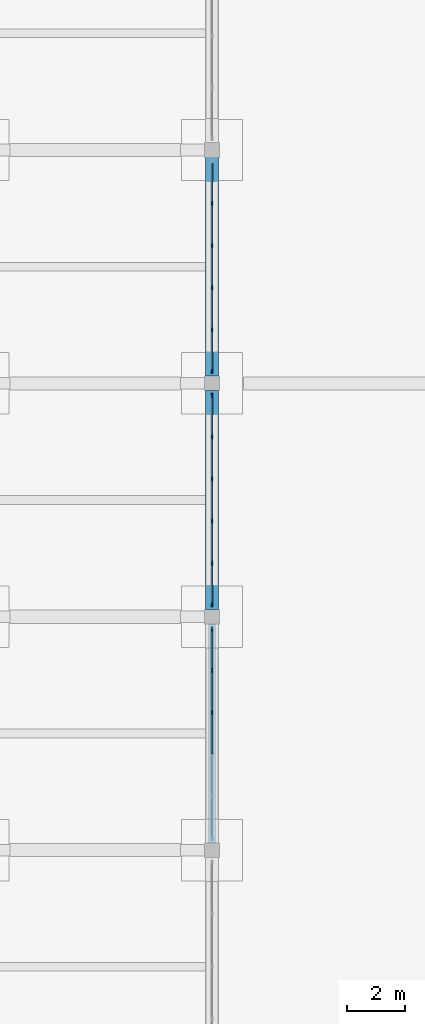
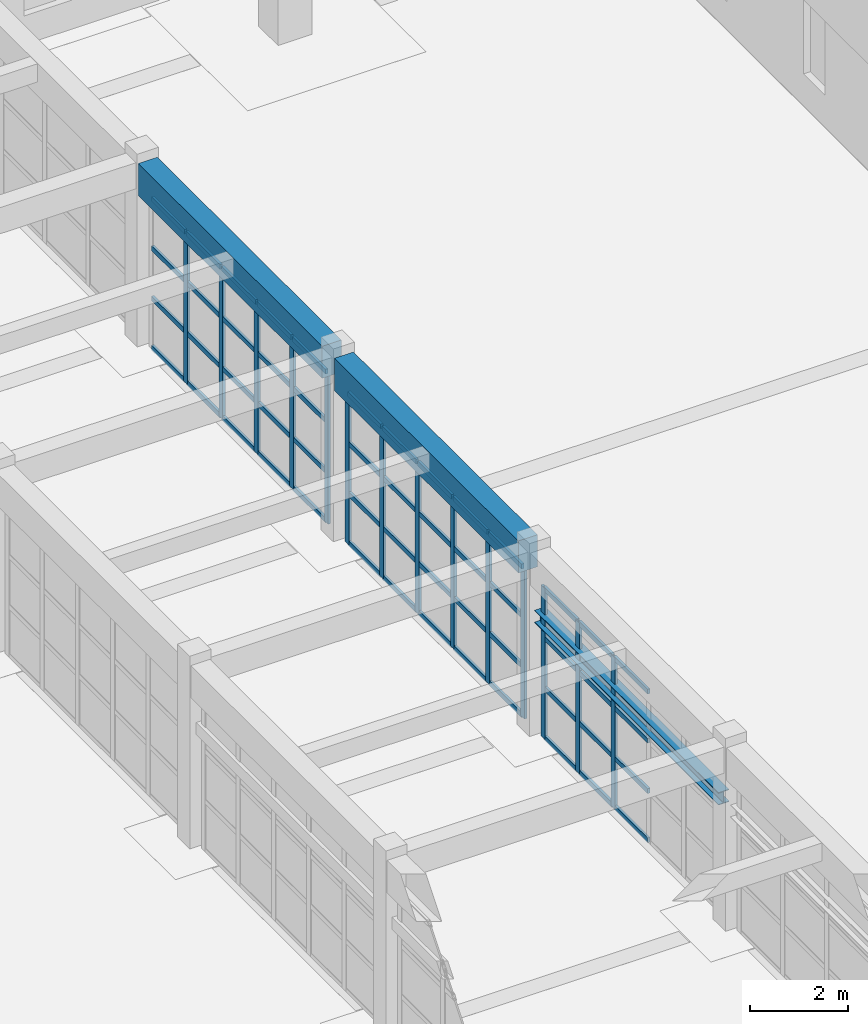
# One storey, part 31 of 68: 66 members, 3 beams, 3 elements without a shape of their own.
"""IFC4 building model written with IfcOpenShell, lengths in metres."""

from ifc_helpers import new_model, si_unit, direction, frame, origin, origin_2d, place, context, subcontext, project, spatial, rectangle, i_section, extrude, material, material_profile, profile_set, type_object, element, aggregate, save


model = new_model("IFC4")

# Units and contexts
model_context = context("Model", 3, precision=1e-05, world=origin(), true_north=direction((0.0, 1.0)))
body_context = subcontext(model_context, "Body", "Model", "MODEL_VIEW")
ifc_project = project(units=[si_unit("LENGTHUNIT", "METRE"), si_unit("AREAUNIT", "SQUARE_METRE"), si_unit("VOLUMEUNIT", "CUBIC_METRE"), si_unit("PLANEANGLEUNIT", "RADIAN"), si_unit("MASSUNIT", "GRAM", prefix="KILO")], contexts=[model_context])

# Site, building, storey
site_placement = place(None, origin())
site = spatial("IfcSite", under=ifc_project, at=site_placement, CompositionType="ELEMENT")
building_placement = place(site_placement, origin())
building = spatial("IfcBuilding", under=site, at=building_placement, Name="Serraluz Foothill Cableway Terminal", CompositionType="ELEMENT")
storey_placement = place(building_placement, origin())
storey = spatial("IfcBuildingStorey", under=building, at=storey_placement, Name="L00", CompositionType="ELEMENT", Elevation=0.0)

# Beams
ifc_material_1 = material(Name="Concrete C35/45 (f'c 35 MPa)", Category="concrete")
ifc_material_profile_1 = material_profile(ifc_material_1, rectangle(XDim=0.449951171875, YDim=0.800048828125, at=origin_2d()), Name="RC 450x800")
ifc_profile_set_1 = profile_set([ifc_material_profile_1], Name="Concrete C35/45 (f'c 35 MPa)")
beam_type_1 = type_object("IfcBeamType", Name="TYP-BM-RC450X800", PredefinedType="BEAM", material=ifc_profile_set_1)
for number, where, z_axis, x_axis, name in (
    (1, (128.0, 32.24609375, 4.159912109375), (0.0, 1.0, 0.0), (-1.0, 0.0, 0.0), "Transverse Girder BM-Y-L00-0166"),
    (2, (128.0, 40.24609375, 4.159912109375), (0.0, 1.0, 0.0), (-1.0, 0.0, 0.0), "Transverse Girder BM-Y-L00-0167"),
):
    element("IfcBeam", number, at=place(storey_placement, frame(where, z_axis=z_axis, x_axis=x_axis)), inside=storey, type_object=beam_type_1, Name=name, PredefinedType="BEAM", context=body_context, shape_type="SweptSolid", body=[
        extrude(rectangle(XDim=0.449951171875, YDim=0.800048828125, at=origin_2d()), origin(), (0.0, 0.0, 1.0), 7.5078125),
    ])

# Curtain wall, members
ifc_material_2 = material(Name="Architectural bronze alloy C28000", Category="aluminium")
curtain_wall_type = type_object("IfcCurtainWallType", Name="TYP-CW-710X420", PredefinedType="NOTDEFINED", material=ifc_material_2)
curtain_wall_1_placement = place(storey_placement, origin())
curtain_wall_1 = element("IfcCurtainWall", 3, at=curtain_wall_1_placement, inside=storey, type_object=curtain_wall_type, Name="Ribbed Glazed Curtain Wall CW-CLE-L00-24", PredefinedType="NOTDEFINED")
ifc_material_profile_2 = material_profile(ifc_material_2, rectangle(XDim=0.06005859375, YDim=0.159912109375, at=origin_2d()), Name="ALU MULLION 60x160")
ifc_profile_set_2 = profile_set([ifc_material_profile_2], Name="Architectural bronze alloy C28000")
member_type_1 = type_object("IfcMemberType", Name="TYP-CW-MUL-60X160", PredefinedType="MULLION", material=ifc_profile_set_2)
member_1_placement = place(storey_placement, frame((128.0, 31.580078125, 0.0), z_axis=(0.0, 0.0, 1.0), x_axis=(1.0, 0.0, 0.0)))
member_1 = element("IfcMember", 4, at=member_1_placement, type_object=member_type_1, Name="CW-01 mullion 1", PredefinedType="MULLION", context=body_context, shape_type="SweptSolid", body=[
    extrude(rectangle(XDim=0.06005859375, YDim=0.159912109375, at=origin_2d()), origin(), (0.0, 0.0, 1.0), 3.760009765625),
])
member_2_placement = place(storey_placement, frame((128.0, 30.166015625, 0.0), z_axis=(0.0, 0.0, 1.0), x_axis=(1.0, 0.0, 0.0)))
member_2 = element("IfcMember", 5, at=member_2_placement, type_object=member_type_1, Name="CW-01 mullion 2", PredefinedType="MULLION", context=body_context, shape_type="SweptSolid", body=[
    extrude(rectangle(XDim=0.06005859375, YDim=0.159912109375, at=origin_2d()), origin(), (0.0, 0.0, 1.0), 3.760009765625),
])
member_3_placement = place(storey_placement, frame((128.0, 28.721923828125, 0.0), z_axis=(0.0, 0.0, 1.0), x_axis=(1.0, 0.0, 0.0)))
member_3 = element("IfcMember", 6, at=member_3_placement, type_object=member_type_1, Name="CW-01 mullion 3", PredefinedType="MULLION", context=body_context, shape_type="SweptSolid", body=[
    extrude(rectangle(XDim=0.06005859375, YDim=0.159912109375, at=origin_2d()), origin(), (0.0, 0.0, 1.0), 3.760009765625),
])

curtain_wall_2_placement = place(storey_placement, origin())
curtain_wall_2 = element("IfcCurtainWall", 7, at=curtain_wall_2_placement, inside=storey, type_object=curtain_wall_type, Name="Ribbed Glazed Curtain Wall CW-CLE-L00-32", PredefinedType="NOTDEFINED")
member_4_placement = place(storey_placement, frame((128.0, 39.580078125, 0.0), z_axis=(0.0, 0.0, 1.0), x_axis=(1.0, 0.0, 0.0)))
member_4 = element("IfcMember", 8, at=member_4_placement, type_object=member_type_1, Name="CW-01 mullion 1", PredefinedType="MULLION", context=body_context, shape_type="SweptSolid", body=[
    extrude(rectangle(XDim=0.06005859375, YDim=0.159912109375, at=origin_2d()), origin(), (0.0, 0.0, 1.0), 3.760009765625),
])
member_5_placement = place(storey_placement, frame((128.0, 38.166015625, 0.0), z_axis=(0.0, 0.0, 1.0), x_axis=(1.0, 0.0, 0.0)))
member_5 = element("IfcMember", 9, at=member_5_placement, type_object=member_type_1, Name="CW-01 mullion 2", PredefinedType="MULLION", context=body_context, shape_type="SweptSolid", body=[
    extrude(rectangle(XDim=0.06005859375, YDim=0.159912109375, at=origin_2d()), origin(), (0.0, 0.0, 1.0), 3.760009765625),
])
member_6_placement = place(storey_placement, frame((128.0, 36.721923828125, 0.0), z_axis=(0.0, 0.0, 1.0), x_axis=(1.0, 0.0, 0.0)))
member_6 = element("IfcMember", 10, at=member_6_placement, type_object=member_type_1, Name="CW-01 mullion 3", PredefinedType="MULLION", context=body_context, shape_type="SweptSolid", body=[
    extrude(rectangle(XDim=0.06005859375, YDim=0.159912109375, at=origin_2d()), origin(), (0.0, 0.0, 1.0), 3.760009765625),
])
member_7_placement = place(storey_placement, frame((128.0, 35.278076171875, 0.0), z_axis=(0.0, 0.0, 1.0), x_axis=(1.0, 0.0, 0.0)))
member_7 = element("IfcMember", 11, at=member_7_placement, type_object=member_type_1, Name="CW-01 mullion 4", PredefinedType="MULLION", context=body_context, shape_type="SweptSolid", body=[
    extrude(rectangle(XDim=0.06005859375, YDim=0.159912109375, at=origin_2d()), origin(), (0.0, 0.0, 1.0), 3.760009765625),
])
member_8_placement = place(storey_placement, frame((128.0, 33.833984375, 0.0), z_axis=(0.0, 0.0, 1.0), x_axis=(1.0, 0.0, 0.0)))
member_8 = element("IfcMember", 12, at=member_8_placement, type_object=member_type_1, Name="CW-01 mullion 5", PredefinedType="MULLION", context=body_context, shape_type="SweptSolid", body=[
    extrude(rectangle(XDim=0.06005859375, YDim=0.159912109375, at=origin_2d()), origin(), (0.0, 0.0, 1.0), 3.760009765625),
])
member_9_placement = place(storey_placement, frame((128.0, 32.419921875, 0.0), z_axis=(0.0, 0.0, 1.0), x_axis=(1.0, 0.0, 0.0)))
member_9 = element("IfcMember", 13, at=member_9_placement, type_object=member_type_1, Name="CW-01 mullion 6", PredefinedType="MULLION", context=body_context, shape_type="SweptSolid", body=[
    extrude(rectangle(XDim=0.06005859375, YDim=0.159912109375, at=origin_2d()), origin(), (0.0, 0.0, 1.0), 3.760009765625),
])

curtain_wall_3_placement = place(storey_placement, origin())
curtain_wall_3 = element("IfcCurtainWall", 14, at=curtain_wall_3_placement, inside=storey, type_object=curtain_wall_type, Name="Ribbed Glazed Curtain Wall CW-CLE-L00-40", PredefinedType="NOTDEFINED")
member_10_placement = place(storey_placement, frame((128.0, 46.166015625, 0.0), z_axis=(0.0, 0.0, 1.0), x_axis=(1.0, 0.0, 0.0)))
member_10 = element("IfcMember", 15, at=member_10_placement, type_object=member_type_1, Name="CW-01 mullion 2", PredefinedType="MULLION", context=body_context, shape_type="SweptSolid", body=[
    extrude(rectangle(XDim=0.06005859375, YDim=0.159912109375, at=origin_2d()), origin(), (0.0, 0.0, 1.0), 3.760009765625),
])
member_11_placement = place(storey_placement, frame((128.0, 44.721923828125, 0.0), z_axis=(0.0, 0.0, 1.0), x_axis=(1.0, 0.0, 0.0)))
member_11 = element("IfcMember", 16, at=member_11_placement, type_object=member_type_1, Name="CW-01 mullion 3", PredefinedType="MULLION", context=body_context, shape_type="SweptSolid", body=[
    extrude(rectangle(XDim=0.06005859375, YDim=0.159912109375, at=origin_2d()), origin(), (0.0, 0.0, 1.0), 3.760009765625),
])
member_12_placement = place(storey_placement, frame((128.0, 43.278076171875, 0.0), z_axis=(0.0, 0.0, 1.0), x_axis=(1.0, 0.0, 0.0)))
member_12 = element("IfcMember", 17, at=member_12_placement, type_object=member_type_1, Name="CW-01 mullion 4", PredefinedType="MULLION", context=body_context, shape_type="SweptSolid", body=[
    extrude(rectangle(XDim=0.06005859375, YDim=0.159912109375, at=origin_2d()), origin(), (0.0, 0.0, 1.0), 3.760009765625),
])
member_13_placement = place(storey_placement, frame((128.0, 41.833984375, 0.0), z_axis=(0.0, 0.0, 1.0), x_axis=(1.0, 0.0, 0.0)))
member_13 = element("IfcMember", 18, at=member_13_placement, type_object=member_type_1, Name="CW-01 mullion 5", PredefinedType="MULLION", context=body_context, shape_type="SweptSolid", body=[
    extrude(rectangle(XDim=0.06005859375, YDim=0.159912109375, at=origin_2d()), origin(), (0.0, 0.0, 1.0), 3.760009765625),
])
member_14_placement = place(storey_placement, frame((128.0, 40.419921875, 0.0), z_axis=(0.0, 0.0, 1.0), x_axis=(1.0, 0.0, 0.0)))
member_14 = element("IfcMember", 19, at=member_14_placement, type_object=member_type_1, Name="CW-01 mullion 6", PredefinedType="MULLION", context=body_context, shape_type="SweptSolid", body=[
    extrude(rectangle(XDim=0.06005859375, YDim=0.159912109375, at=origin_2d()), origin(), (0.0, 0.0, 1.0), 3.760009765625),
])

# Member
ifc_material_profile_3 = material_profile(ifc_material_2, rectangle(XDim=0.06005859375, YDim=0.1201171875, at=origin_2d()), Name="ALU TRANSOM 60x120")
ifc_profile_set_3 = profile_set([ifc_material_profile_3], Name="Architectural bronze alloy C28000")
member_type_2 = type_object("IfcMemberType", Name="TYP-CW-TRN-60X120", PredefinedType="USERDEFINED", material=ifc_profile_set_3)
member_15_placement = place(storey_placement, frame((128.0, 31.550048828125, 0.030029296875), z_axis=(0.0, -1.0, 0.0), x_axis=(1.0, 0.0, 0.0)))
member_15 = element("IfcMember", 20, at=member_15_placement, type_object=member_type_2, Name="CW-01 transom 1.1", ObjectType="TRANSOM", PredefinedType="USERDEFINED", context=body_context, shape_type="SweptSolid", body=[
    extrude(rectangle(XDim=0.06005859375, YDim=0.1201171875, at=origin_2d()), origin(), (0.0, 0.0, 1.0), 1.35400390625),
])

member_16_placement = place(storey_placement, frame((128.0, 31.550048828125, 1.25341796875), z_axis=(0.0, -1.0, 0.0), x_axis=(1.0, 0.0, 0.0)))
member_16 = element("IfcMember", 21, at=member_16_placement, type_object=member_type_2, Name="CW-01 transom 1.2", ObjectType="TRANSOM", PredefinedType="USERDEFINED", context=body_context, shape_type="SweptSolid", body=[
    extrude(rectangle(XDim=0.06005859375, YDim=0.1201171875, at=origin_2d()), origin(), (0.0, 0.0, 1.0), 1.35400390625),
])

member_17_placement = place(storey_placement, frame((128.0, 31.550048828125, 2.506591796875), z_axis=(0.0, -1.0, 0.0), x_axis=(1.0, 0.0, 0.0)))
member_17 = element("IfcMember", 22, at=member_17_placement, type_object=member_type_2, Name="CW-01 transom 1.3", ObjectType="TRANSOM", PredefinedType="USERDEFINED", context=body_context, shape_type="SweptSolid", body=[
    extrude(rectangle(XDim=0.06005859375, YDim=0.1201171875, at=origin_2d()), origin(), (0.0, 0.0, 1.0), 1.35400390625),
])

member_18_placement = place(storey_placement, frame((128.0, 31.550048828125, 3.72998046875), z_axis=(0.0, -1.0, 0.0), x_axis=(1.0, 0.0, 0.0)))
member_18 = element("IfcMember", 23, at=member_18_placement, type_object=member_type_2, Name="CW-01 transom 1.4", ObjectType="TRANSOM", PredefinedType="USERDEFINED", context=body_context, shape_type="SweptSolid", body=[
    extrude(rectangle(XDim=0.06005859375, YDim=0.1201171875, at=origin_2d()), origin(), (0.0, 0.0, 1.0), 1.35400390625),
])

member_19_placement = place(storey_placement, frame((128.0, 30.135986328125, 0.030029296875), z_axis=(0.0, -1.0, 0.0), x_axis=(1.0, 0.0, 0.0)))
member_19 = element("IfcMember", 24, at=member_19_placement, type_object=member_type_2, Name="CW-01 transom 2.1", ObjectType="TRANSOM", PredefinedType="USERDEFINED", context=body_context, shape_type="SweptSolid", body=[
    extrude(rectangle(XDim=0.06005859375, YDim=0.1201171875, at=origin_2d()), origin(), (0.0, 0.0, 1.0), 1.384033203125),
])

member_20_placement = place(storey_placement, frame((128.0, 30.135986328125, 1.25341796875), z_axis=(0.0, -1.0, 0.0), x_axis=(1.0, 0.0, 0.0)))
member_20 = element("IfcMember", 25, at=member_20_placement, type_object=member_type_2, Name="CW-01 transom 2.2", ObjectType="TRANSOM", PredefinedType="USERDEFINED", context=body_context, shape_type="SweptSolid", body=[
    extrude(rectangle(XDim=0.06005859375, YDim=0.1201171875, at=origin_2d()), origin(), (0.0, 0.0, 1.0), 1.384033203125),
])

member_21_placement = place(storey_placement, frame((128.0, 30.135986328125, 2.506591796875), z_axis=(0.0, -1.0, 0.0), x_axis=(1.0, 0.0, 0.0)))
member_21 = element("IfcMember", 26, at=member_21_placement, type_object=member_type_2, Name="CW-01 transom 2.3", ObjectType="TRANSOM", PredefinedType="USERDEFINED", context=body_context, shape_type="SweptSolid", body=[
    extrude(rectangle(XDim=0.06005859375, YDim=0.1201171875, at=origin_2d()), origin(), (0.0, 0.0, 1.0), 1.384033203125),
])

member_22_placement = place(storey_placement, frame((128.0, 30.135986328125, 3.72998046875), z_axis=(0.0, -1.0, 0.0), x_axis=(1.0, 0.0, 0.0)))
member_22 = element("IfcMember", 27, at=member_22_placement, type_object=member_type_2, Name="CW-01 transom 2.4", ObjectType="TRANSOM", PredefinedType="USERDEFINED", context=body_context, shape_type="SweptSolid", body=[
    extrude(rectangle(XDim=0.06005859375, YDim=0.1201171875, at=origin_2d()), origin(), (0.0, 0.0, 1.0), 1.384033203125),
])

member_23_placement = place(storey_placement, frame((128.0, 28.69189453125, 0.030029296875), z_axis=(0.0, -1.0, 0.0), x_axis=(1.0, 0.0, 0.0)))
member_23 = element("IfcMember", 28, at=member_23_placement, type_object=member_type_2, Name="CW-01 transom 3.1", ObjectType="TRANSOM", PredefinedType="USERDEFINED", context=body_context, shape_type="SweptSolid", body=[
    extrude(rectangle(XDim=0.06005859375, YDim=0.1201171875, at=origin_2d()), origin(), (0.0, 0.0, 1.0), 1.3837890625),
])

member_24_placement = place(storey_placement, frame((128.0, 28.69189453125, 1.25341796875), z_axis=(0.0, -1.0, 0.0), x_axis=(1.0, 0.0, 0.0)))
member_24 = element("IfcMember", 29, at=member_24_placement, type_object=member_type_2, Name="CW-01 transom 3.2", ObjectType="TRANSOM", PredefinedType="USERDEFINED", context=body_context, shape_type="SweptSolid", body=[
    extrude(rectangle(XDim=0.06005859375, YDim=0.1201171875, at=origin_2d()), origin(), (0.0, 0.0, 1.0), 1.3837890625),
])

member_25_placement = place(storey_placement, frame((128.0, 28.69189453125, 2.506591796875), z_axis=(0.0, -1.0, 0.0), x_axis=(1.0, 0.0, 0.0)))
member_25 = element("IfcMember", 30, at=member_25_placement, type_object=member_type_2, Name="CW-01 transom 3.3", ObjectType="TRANSOM", PredefinedType="USERDEFINED", context=body_context, shape_type="SweptSolid", body=[
    extrude(rectangle(XDim=0.06005859375, YDim=0.1201171875, at=origin_2d()), origin(), (0.0, 0.0, 1.0), 1.3837890625),
])

member_26_placement = place(storey_placement, frame((128.0, 28.69189453125, 3.72998046875), z_axis=(0.0, -1.0, 0.0), x_axis=(1.0, 0.0, 0.0)))
member_26 = element("IfcMember", 31, at=member_26_placement, type_object=member_type_2, Name="CW-01 transom 3.4", ObjectType="TRANSOM", PredefinedType="USERDEFINED", context=body_context, shape_type="SweptSolid", body=[
    extrude(rectangle(XDim=0.06005859375, YDim=0.1201171875, at=origin_2d()), origin(), (0.0, 0.0, 1.0), 1.3837890625),
])

aggregate(curtain_wall_1, [member_1, member_2, member_3, member_15, member_16, member_17, member_18, member_19, member_20, member_21, member_22, member_23, member_24, member_25, member_26])

member_27_placement = place(storey_placement, frame((128.0, 39.550048828125, 0.030029296875), z_axis=(0.0, -1.0, 0.0), x_axis=(1.0, 0.0, 0.0)))
member_27 = element("IfcMember", 32, at=member_27_placement, type_object=member_type_2, Name="CW-01 transom 1.1", ObjectType="TRANSOM", PredefinedType="USERDEFINED", context=body_context, shape_type="SweptSolid", body=[
    extrude(rectangle(XDim=0.06005859375, YDim=0.1201171875, at=origin_2d()), origin(), (0.0, 0.0, 1.0), 1.35400390625),
])

member_28_placement = place(storey_placement, frame((128.0, 39.550048828125, 1.25341796875), z_axis=(0.0, -1.0, 0.0), x_axis=(1.0, 0.0, 0.0)))
member_28 = element("IfcMember", 33, at=member_28_placement, type_object=member_type_2, Name="CW-01 transom 1.2", ObjectType="TRANSOM", PredefinedType="USERDEFINED", context=body_context, shape_type="SweptSolid", body=[
    extrude(rectangle(XDim=0.06005859375, YDim=0.1201171875, at=origin_2d()), origin(), (0.0, 0.0, 1.0), 1.35400390625),
])

member_29_placement = place(storey_placement, frame((128.0, 39.550048828125, 2.506591796875), z_axis=(0.0, -1.0, 0.0), x_axis=(1.0, 0.0, 0.0)))
member_29 = element("IfcMember", 34, at=member_29_placement, type_object=member_type_2, Name="CW-01 transom 1.3", ObjectType="TRANSOM", PredefinedType="USERDEFINED", context=body_context, shape_type="SweptSolid", body=[
    extrude(rectangle(XDim=0.06005859375, YDim=0.1201171875, at=origin_2d()), origin(), (0.0, 0.0, 1.0), 1.35400390625),
])

member_30_placement = place(storey_placement, frame((128.0, 39.550048828125, 3.72998046875), z_axis=(0.0, -1.0, 0.0), x_axis=(1.0, 0.0, 0.0)))
member_30 = element("IfcMember", 35, at=member_30_placement, type_object=member_type_2, Name="CW-01 transom 1.4", ObjectType="TRANSOM", PredefinedType="USERDEFINED", context=body_context, shape_type="SweptSolid", body=[
    extrude(rectangle(XDim=0.06005859375, YDim=0.1201171875, at=origin_2d()), origin(), (0.0, 0.0, 1.0), 1.35400390625),
])

member_31_placement = place(storey_placement, frame((128.0, 38.135986328125, 0.030029296875), z_axis=(0.0, -1.0, 0.0), x_axis=(1.0, 0.0, 0.0)))
member_31 = element("IfcMember", 36, at=member_31_placement, type_object=member_type_2, Name="CW-01 transom 2.1", ObjectType="TRANSOM", PredefinedType="USERDEFINED", context=body_context, shape_type="SweptSolid", body=[
    extrude(rectangle(XDim=0.06005859375, YDim=0.1201171875, at=origin_2d()), origin(), (0.0, 0.0, 1.0), 1.384033203125),
])

member_32_placement = place(storey_placement, frame((128.0, 38.135986328125, 1.25341796875), z_axis=(0.0, -1.0, 0.0), x_axis=(1.0, 0.0, 0.0)))
member_32 = element("IfcMember", 37, at=member_32_placement, type_object=member_type_2, Name="CW-01 transom 2.2", ObjectType="TRANSOM", PredefinedType="USERDEFINED", context=body_context, shape_type="SweptSolid", body=[
    extrude(rectangle(XDim=0.06005859375, YDim=0.1201171875, at=origin_2d()), origin(), (0.0, 0.0, 1.0), 1.384033203125),
])

member_33_placement = place(storey_placement, frame((128.0, 38.135986328125, 2.506591796875), z_axis=(0.0, -1.0, 0.0), x_axis=(1.0, 0.0, 0.0)))
member_33 = element("IfcMember", 38, at=member_33_placement, type_object=member_type_2, Name="CW-01 transom 2.3", ObjectType="TRANSOM", PredefinedType="USERDEFINED", context=body_context, shape_type="SweptSolid", body=[
    extrude(rectangle(XDim=0.06005859375, YDim=0.1201171875, at=origin_2d()), origin(), (0.0, 0.0, 1.0), 1.384033203125),
])

member_34_placement = place(storey_placement, frame((128.0, 38.135986328125, 3.72998046875), z_axis=(0.0, -1.0, 0.0), x_axis=(1.0, 0.0, 0.0)))
member_34 = element("IfcMember", 39, at=member_34_placement, type_object=member_type_2, Name="CW-01 transom 2.4", ObjectType="TRANSOM", PredefinedType="USERDEFINED", context=body_context, shape_type="SweptSolid", body=[
    extrude(rectangle(XDim=0.06005859375, YDim=0.1201171875, at=origin_2d()), origin(), (0.0, 0.0, 1.0), 1.384033203125),
])

member_35_placement = place(storey_placement, frame((128.0, 36.69189453125, 0.030029296875), z_axis=(0.0, -1.0, 0.0), x_axis=(1.0, 0.0, 0.0)))
member_35 = element("IfcMember", 40, at=member_35_placement, type_object=member_type_2, Name="CW-01 transom 3.1", ObjectType="TRANSOM", PredefinedType="USERDEFINED", context=body_context, shape_type="SweptSolid", body=[
    extrude(rectangle(XDim=0.06005859375, YDim=0.1201171875, at=origin_2d()), origin(), (0.0, 0.0, 1.0), 1.3837890625),
])

member_36_placement = place(storey_placement, frame((128.0, 36.69189453125, 1.25341796875), z_axis=(0.0, -1.0, 0.0), x_axis=(1.0, 0.0, 0.0)))
member_36 = element("IfcMember", 41, at=member_36_placement, type_object=member_type_2, Name="CW-01 transom 3.2", ObjectType="TRANSOM", PredefinedType="USERDEFINED", context=body_context, shape_type="SweptSolid", body=[
    extrude(rectangle(XDim=0.06005859375, YDim=0.1201171875, at=origin_2d()), origin(), (0.0, 0.0, 1.0), 1.3837890625),
])

member_37_placement = place(storey_placement, frame((128.0, 36.69189453125, 2.506591796875), z_axis=(0.0, -1.0, 0.0), x_axis=(1.0, 0.0, 0.0)))
member_37 = element("IfcMember", 42, at=member_37_placement, type_object=member_type_2, Name="CW-01 transom 3.3", ObjectType="TRANSOM", PredefinedType="USERDEFINED", context=body_context, shape_type="SweptSolid", body=[
    extrude(rectangle(XDim=0.06005859375, YDim=0.1201171875, at=origin_2d()), origin(), (0.0, 0.0, 1.0), 1.3837890625),
])

member_38_placement = place(storey_placement, frame((128.0, 36.69189453125, 3.72998046875), z_axis=(0.0, -1.0, 0.0), x_axis=(1.0, 0.0, 0.0)))
member_38 = element("IfcMember", 43, at=member_38_placement, type_object=member_type_2, Name="CW-01 transom 3.4", ObjectType="TRANSOM", PredefinedType="USERDEFINED", context=body_context, shape_type="SweptSolid", body=[
    extrude(rectangle(XDim=0.06005859375, YDim=0.1201171875, at=origin_2d()), origin(), (0.0, 0.0, 1.0), 1.3837890625),
])

member_39_placement = place(storey_placement, frame((128.0, 35.248046875, 0.030029296875), z_axis=(0.0, -1.0, 0.0), x_axis=(1.0, 0.0, 0.0)))
member_39 = element("IfcMember", 44, at=member_39_placement, type_object=member_type_2, Name="CW-01 transom 4.1", ObjectType="TRANSOM", PredefinedType="USERDEFINED", context=body_context, shape_type="SweptSolid", body=[
    extrude(rectangle(XDim=0.06005859375, YDim=0.1201171875, at=origin_2d()), origin(), (0.0, 0.0, 1.0), 1.384033203125),
])

member_40_placement = place(storey_placement, frame((128.0, 35.248046875, 1.25341796875), z_axis=(0.0, -1.0, 0.0), x_axis=(1.0, 0.0, 0.0)))
member_40 = element("IfcMember", 45, at=member_40_placement, type_object=member_type_2, Name="CW-01 transom 4.2", ObjectType="TRANSOM", PredefinedType="USERDEFINED", context=body_context, shape_type="SweptSolid", body=[
    extrude(rectangle(XDim=0.06005859375, YDim=0.1201171875, at=origin_2d()), origin(), (0.0, 0.0, 1.0), 1.384033203125),
])

member_41_placement = place(storey_placement, frame((128.0, 35.248046875, 2.506591796875), z_axis=(0.0, -1.0, 0.0), x_axis=(1.0, 0.0, 0.0)))
member_41 = element("IfcMember", 46, at=member_41_placement, type_object=member_type_2, Name="CW-01 transom 4.3", ObjectType="TRANSOM", PredefinedType="USERDEFINED", context=body_context, shape_type="SweptSolid", body=[
    extrude(rectangle(XDim=0.06005859375, YDim=0.1201171875, at=origin_2d()), origin(), (0.0, 0.0, 1.0), 1.384033203125),
])

member_42_placement = place(storey_placement, frame((128.0, 35.248046875, 3.72998046875), z_axis=(0.0, -1.0, 0.0), x_axis=(1.0, 0.0, 0.0)))
member_42 = element("IfcMember", 47, at=member_42_placement, type_object=member_type_2, Name="CW-01 transom 4.4", ObjectType="TRANSOM", PredefinedType="USERDEFINED", context=body_context, shape_type="SweptSolid", body=[
    extrude(rectangle(XDim=0.06005859375, YDim=0.1201171875, at=origin_2d()), origin(), (0.0, 0.0, 1.0), 1.384033203125),
])

member_43_placement = place(storey_placement, frame((128.0, 33.803955078125, 0.030029296875), z_axis=(0.0, -1.0, 0.0), x_axis=(1.0, 0.0, 0.0)))
member_43 = element("IfcMember", 48, at=member_43_placement, type_object=member_type_2, Name="CW-01 transom 5.1", ObjectType="TRANSOM", PredefinedType="USERDEFINED", context=body_context, shape_type="SweptSolid", body=[
    extrude(rectangle(XDim=0.06005859375, YDim=0.1201171875, at=origin_2d()), origin(), (0.0, 0.0, 1.0), 1.35400390625),
])

member_44_placement = place(storey_placement, frame((128.0, 33.803955078125, 1.25341796875), z_axis=(0.0, -1.0, 0.0), x_axis=(1.0, 0.0, 0.0)))
member_44 = element("IfcMember", 49, at=member_44_placement, type_object=member_type_2, Name="CW-01 transom 5.2", ObjectType="TRANSOM", PredefinedType="USERDEFINED", context=body_context, shape_type="SweptSolid", body=[
    extrude(rectangle(XDim=0.06005859375, YDim=0.1201171875, at=origin_2d()), origin(), (0.0, 0.0, 1.0), 1.35400390625),
])

member_45_placement = place(storey_placement, frame((128.0, 33.803955078125, 2.506591796875), z_axis=(0.0, -1.0, 0.0), x_axis=(1.0, 0.0, 0.0)))
member_45 = element("IfcMember", 50, at=member_45_placement, type_object=member_type_2, Name="CW-01 transom 5.3", ObjectType="TRANSOM", PredefinedType="USERDEFINED", context=body_context, shape_type="SweptSolid", body=[
    extrude(rectangle(XDim=0.06005859375, YDim=0.1201171875, at=origin_2d()), origin(), (0.0, 0.0, 1.0), 1.35400390625),
])

member_46_placement = place(storey_placement, frame((128.0, 33.803955078125, 3.72998046875), z_axis=(0.0, -1.0, 0.0), x_axis=(1.0, 0.0, 0.0)))
member_46 = element("IfcMember", 51, at=member_46_placement, type_object=member_type_2, Name="CW-01 transom 5.4", ObjectType="TRANSOM", PredefinedType="USERDEFINED", context=body_context, shape_type="SweptSolid", body=[
    extrude(rectangle(XDim=0.06005859375, YDim=0.1201171875, at=origin_2d()), origin(), (0.0, 0.0, 1.0), 1.35400390625),
])

aggregate(curtain_wall_2, [member_4, member_5, member_6, member_7, member_8, member_9, member_27, member_28, member_29, member_30, member_31, member_32, member_33, member_34, member_35, member_36, member_37, member_38, member_39, member_40, member_41, member_42, member_43, member_44, member_45, member_46])

member_47_placement = place(storey_placement, frame((128.0, 47.550048828125, 0.030029296875), z_axis=(0.0, -1.0, 0.0), x_axis=(1.0, 0.0, 0.0)))
member_47 = element("IfcMember", 52, at=member_47_placement, type_object=member_type_2, Name="CW-01 transom 1.1", ObjectType="TRANSOM", PredefinedType="USERDEFINED", context=body_context, shape_type="SweptSolid", body=[
    extrude(rectangle(XDim=0.06005859375, YDim=0.1201171875, at=origin_2d()), origin(), (0.0, 0.0, 1.0), 1.35400390625),
])

member_48_placement = place(storey_placement, frame((128.0, 47.550048828125, 1.25341796875), z_axis=(0.0, -1.0, 0.0), x_axis=(1.0, 0.0, 0.0)))
member_48 = element("IfcMember", 53, at=member_48_placement, type_object=member_type_2, Name="CW-01 transom 1.2", ObjectType="TRANSOM", PredefinedType="USERDEFINED", context=body_context, shape_type="SweptSolid", body=[
    extrude(rectangle(XDim=0.06005859375, YDim=0.1201171875, at=origin_2d()), origin(), (0.0, 0.0, 1.0), 1.35400390625),
])

member_49_placement = place(storey_placement, frame((128.0, 47.550048828125, 2.506591796875), z_axis=(0.0, -1.0, 0.0), x_axis=(1.0, 0.0, 0.0)))
member_49 = element("IfcMember", 54, at=member_49_placement, type_object=member_type_2, Name="CW-01 transom 1.3", ObjectType="TRANSOM", PredefinedType="USERDEFINED", context=body_context, shape_type="SweptSolid", body=[
    extrude(rectangle(XDim=0.06005859375, YDim=0.1201171875, at=origin_2d()), origin(), (0.0, 0.0, 1.0), 1.35400390625),
])

member_50_placement = place(storey_placement, frame((128.0, 47.550048828125, 3.72998046875), z_axis=(0.0, -1.0, 0.0), x_axis=(1.0, 0.0, 0.0)))
member_50 = element("IfcMember", 55, at=member_50_placement, type_object=member_type_2, Name="CW-01 transom 1.4", ObjectType="TRANSOM", PredefinedType="USERDEFINED", context=body_context, shape_type="SweptSolid", body=[
    extrude(rectangle(XDim=0.06005859375, YDim=0.1201171875, at=origin_2d()), origin(), (0.0, 0.0, 1.0), 1.35400390625),
])

member_51_placement = place(storey_placement, frame((128.0, 46.135986328125, 0.030029296875), z_axis=(0.0, -1.0, 0.0), x_axis=(1.0, 0.0, 0.0)))
member_51 = element("IfcMember", 56, at=member_51_placement, type_object=member_type_2, Name="CW-01 transom 2.1", ObjectType="TRANSOM", PredefinedType="USERDEFINED", context=body_context, shape_type="SweptSolid", body=[
    extrude(rectangle(XDim=0.06005859375, YDim=0.1201171875, at=origin_2d()), origin(), (0.0, 0.0, 1.0), 1.384033203125),
])

member_52_placement = place(storey_placement, frame((128.0, 46.135986328125, 1.25341796875), z_axis=(0.0, -1.0, 0.0), x_axis=(1.0, 0.0, 0.0)))
member_52 = element("IfcMember", 57, at=member_52_placement, type_object=member_type_2, Name="CW-01 transom 2.2", ObjectType="TRANSOM", PredefinedType="USERDEFINED", context=body_context, shape_type="SweptSolid", body=[
    extrude(rectangle(XDim=0.06005859375, YDim=0.1201171875, at=origin_2d()), origin(), (0.0, 0.0, 1.0), 1.384033203125),
])

member_53_placement = place(storey_placement, frame((128.0, 46.135986328125, 2.506591796875), z_axis=(0.0, -1.0, 0.0), x_axis=(1.0, 0.0, 0.0)))
member_53 = element("IfcMember", 58, at=member_53_placement, type_object=member_type_2, Name="CW-01 transom 2.3", ObjectType="TRANSOM", PredefinedType="USERDEFINED", context=body_context, shape_type="SweptSolid", body=[
    extrude(rectangle(XDim=0.06005859375, YDim=0.1201171875, at=origin_2d()), origin(), (0.0, 0.0, 1.0), 1.384033203125),
])

member_54_placement = place(storey_placement, frame((128.0, 46.135986328125, 3.72998046875), z_axis=(0.0, -1.0, 0.0), x_axis=(1.0, 0.0, 0.0)))
member_54 = element("IfcMember", 59, at=member_54_placement, type_object=member_type_2, Name="CW-01 transom 2.4", ObjectType="TRANSOM", PredefinedType="USERDEFINED", context=body_context, shape_type="SweptSolid", body=[
    extrude(rectangle(XDim=0.06005859375, YDim=0.1201171875, at=origin_2d()), origin(), (0.0, 0.0, 1.0), 1.384033203125),
])

member_55_placement = place(storey_placement, frame((128.0, 44.69189453125, 0.030029296875), z_axis=(0.0, -1.0, 0.0), x_axis=(1.0, 0.0, 0.0)))
member_55 = element("IfcMember", 60, at=member_55_placement, type_object=member_type_2, Name="CW-01 transom 3.1", ObjectType="TRANSOM", PredefinedType="USERDEFINED", context=body_context, shape_type="SweptSolid", body=[
    extrude(rectangle(XDim=0.06005859375, YDim=0.1201171875, at=origin_2d()), origin(), (0.0, 0.0, 1.0), 1.3837890625),
])

member_56_placement = place(storey_placement, frame((128.0, 44.69189453125, 1.25341796875), z_axis=(0.0, -1.0, 0.0), x_axis=(1.0, 0.0, 0.0)))
member_56 = element("IfcMember", 61, at=member_56_placement, type_object=member_type_2, Name="CW-01 transom 3.2", ObjectType="TRANSOM", PredefinedType="USERDEFINED", context=body_context, shape_type="SweptSolid", body=[
    extrude(rectangle(XDim=0.06005859375, YDim=0.1201171875, at=origin_2d()), origin(), (0.0, 0.0, 1.0), 1.3837890625),
])

member_57_placement = place(storey_placement, frame((128.0, 44.69189453125, 2.506591796875), z_axis=(0.0, -1.0, 0.0), x_axis=(1.0, 0.0, 0.0)))
member_57 = element("IfcMember", 62, at=member_57_placement, type_object=member_type_2, Name="CW-01 transom 3.3", ObjectType="TRANSOM", PredefinedType="USERDEFINED", context=body_context, shape_type="SweptSolid", body=[
    extrude(rectangle(XDim=0.06005859375, YDim=0.1201171875, at=origin_2d()), origin(), (0.0, 0.0, 1.0), 1.3837890625),
])

member_58_placement = place(storey_placement, frame((128.0, 44.69189453125, 3.72998046875), z_axis=(0.0, -1.0, 0.0), x_axis=(1.0, 0.0, 0.0)))
member_58 = element("IfcMember", 63, at=member_58_placement, type_object=member_type_2, Name="CW-01 transom 3.4", ObjectType="TRANSOM", PredefinedType="USERDEFINED", context=body_context, shape_type="SweptSolid", body=[
    extrude(rectangle(XDim=0.06005859375, YDim=0.1201171875, at=origin_2d()), origin(), (0.0, 0.0, 1.0), 1.3837890625),
])

member_59_placement = place(storey_placement, frame((128.0, 43.248046875, 0.030029296875), z_axis=(0.0, -1.0, 0.0), x_axis=(1.0, 0.0, 0.0)))
member_59 = element("IfcMember", 64, at=member_59_placement, type_object=member_type_2, Name="CW-01 transom 4.1", ObjectType="TRANSOM", PredefinedType="USERDEFINED", context=body_context, shape_type="SweptSolid", body=[
    extrude(rectangle(XDim=0.06005859375, YDim=0.1201171875, at=origin_2d()), origin(), (0.0, 0.0, 1.0), 1.384033203125),
])

member_60_placement = place(storey_placement, frame((128.0, 43.248046875, 1.25341796875), z_axis=(0.0, -1.0, 0.0), x_axis=(1.0, 0.0, 0.0)))
member_60 = element("IfcMember", 65, at=member_60_placement, type_object=member_type_2, Name="CW-01 transom 4.2", ObjectType="TRANSOM", PredefinedType="USERDEFINED", context=body_context, shape_type="SweptSolid", body=[
    extrude(rectangle(XDim=0.06005859375, YDim=0.1201171875, at=origin_2d()), origin(), (0.0, 0.0, 1.0), 1.384033203125),
])

member_61_placement = place(storey_placement, frame((128.0, 43.248046875, 2.506591796875), z_axis=(0.0, -1.0, 0.0), x_axis=(1.0, 0.0, 0.0)))
member_61 = element("IfcMember", 66, at=member_61_placement, type_object=member_type_2, Name="CW-01 transom 4.3", ObjectType="TRANSOM", PredefinedType="USERDEFINED", context=body_context, shape_type="SweptSolid", body=[
    extrude(rectangle(XDim=0.06005859375, YDim=0.1201171875, at=origin_2d()), origin(), (0.0, 0.0, 1.0), 1.384033203125),
])

member_62_placement = place(storey_placement, frame((128.0, 43.248046875, 3.72998046875), z_axis=(0.0, -1.0, 0.0), x_axis=(1.0, 0.0, 0.0)))
member_62 = element("IfcMember", 67, at=member_62_placement, type_object=member_type_2, Name="CW-01 transom 4.4", ObjectType="TRANSOM", PredefinedType="USERDEFINED", context=body_context, shape_type="SweptSolid", body=[
    extrude(rectangle(XDim=0.06005859375, YDim=0.1201171875, at=origin_2d()), origin(), (0.0, 0.0, 1.0), 1.384033203125),
])

member_63_placement = place(storey_placement, frame((128.0, 41.803955078125, 0.030029296875), z_axis=(0.0, -1.0, 0.0), x_axis=(1.0, 0.0, 0.0)))
member_63 = element("IfcMember", 68, at=member_63_placement, type_object=member_type_2, Name="CW-01 transom 5.1", ObjectType="TRANSOM", PredefinedType="USERDEFINED", context=body_context, shape_type="SweptSolid", body=[
    extrude(rectangle(XDim=0.06005859375, YDim=0.1201171875, at=origin_2d()), origin(), (0.0, 0.0, 1.0), 1.35400390625),
])

member_64_placement = place(storey_placement, frame((128.0, 41.803955078125, 1.25341796875), z_axis=(0.0, -1.0, 0.0), x_axis=(1.0, 0.0, 0.0)))
member_64 = element("IfcMember", 69, at=member_64_placement, type_object=member_type_2, Name="CW-01 transom 5.2", ObjectType="TRANSOM", PredefinedType="USERDEFINED", context=body_context, shape_type="SweptSolid", body=[
    extrude(rectangle(XDim=0.06005859375, YDim=0.1201171875, at=origin_2d()), origin(), (0.0, 0.0, 1.0), 1.35400390625),
])

member_65_placement = place(storey_placement, frame((128.0, 41.803955078125, 2.506591796875), z_axis=(0.0, -1.0, 0.0), x_axis=(1.0, 0.0, 0.0)))
member_65 = element("IfcMember", 70, at=member_65_placement, type_object=member_type_2, Name="CW-01 transom 5.3", ObjectType="TRANSOM", PredefinedType="USERDEFINED", context=body_context, shape_type="SweptSolid", body=[
    extrude(rectangle(XDim=0.06005859375, YDim=0.1201171875, at=origin_2d()), origin(), (0.0, 0.0, 1.0), 1.35400390625),
])

member_66_placement = place(storey_placement, frame((128.0, 41.803955078125, 3.72998046875), z_axis=(0.0, -1.0, 0.0), x_axis=(1.0, 0.0, 0.0)))
member_66 = element("IfcMember", 71, at=member_66_placement, type_object=member_type_2, Name="CW-01 transom 5.4", ObjectType="TRANSOM", PredefinedType="USERDEFINED", context=body_context, shape_type="SweptSolid", body=[
    extrude(rectangle(XDim=0.06005859375, YDim=0.1201171875, at=origin_2d()), origin(), (0.0, 0.0, 1.0), 1.35400390625),
])

aggregate(curtain_wall_3, [member_10, member_11, member_12, member_13, member_14, member_47, member_48, member_49, member_50, member_51, member_52, member_53, member_54, member_55, member_56, member_57, member_58, member_59, member_60, member_61, member_62, member_63, member_64, member_65, member_66])

# Beam
ifc_material_3 = material(Name="Steel ASTM A992 Grade 50", Category="steel")
ifc_material_profile_4 = material_profile(ifc_material_3, i_section(OverallWidth=0.25390625, OverallDepth=0.31103515625, WebThickness=0.010986328125, FlangeThickness=0.01708984375, FilletRadius=0.012939453125, at=origin_2d()), Name="W12X72")
ifc_profile_set_4 = profile_set([ifc_material_profile_4], Name="Steel ASTM A992 Grade 50")
beam_type_2 = type_object("IfcBeamType", Name="TYP-LN-W12X72", PredefinedType="LINTEL", material=ifc_profile_set_4)
beam_placement = place(storey_placement, frame((128.0, 24.25, 2.949951171875), z_axis=(0.0, 1.0, 0.0), x_axis=(-1.0, 0.0, 0.0)))
element("IfcBeam", 72, at=beam_placement, inside=storey, type_object=beam_type_2, Name="Arcade Portal Lintel LN-PORTAL-08", PredefinedType="LINTEL", context=body_context, shape_type="SweptSolid", body=[
    extrude(i_section(OverallWidth=0.25390625, OverallDepth=0.31103515625, WebThickness=0.010986328125, FlangeThickness=0.01708984375, FilletRadius=0.012939453125, at=origin_2d()), origin(), (0.0, 0.0, 1.0), 7.5),
])

save(model, "model.ifc")
